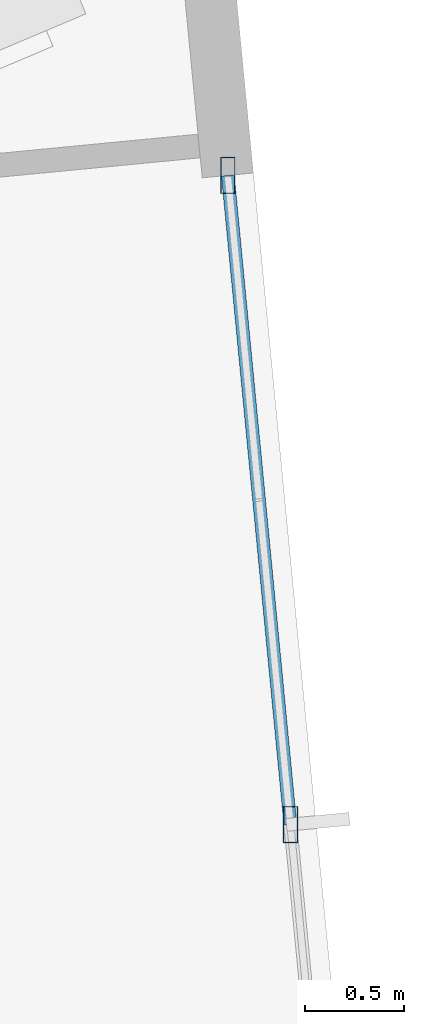
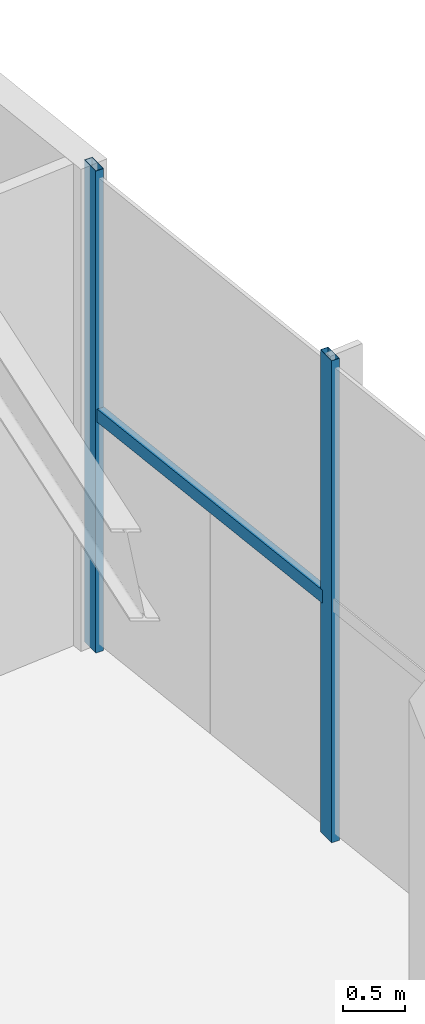
# One storey, part 14 of 28: 3 members, 1 element without a shape of its own.
"""IFC4 building model written with IfcOpenShell, lengths in metres."""

import ifcopenshell
import ifcopenshell.guid

model = None  # the IFC model being written
_history = None  # IfcOwnerHistory: only IFC2X3 demands one
_inside = {}  # id of a spatial element -> (the spatial element, [elements in it])
_under = {}  # id of a project, library or spatial element -> (it, [spatial elements below it])
_declared = {}  # id of a project -> (the project, [libraries it declares])
_typed = {}  # id of a type object -> (the type object, [elements of that type])
_made_of = {}  # id of a material, layer set ... -> (it, [elements and type objects made of it])


def new_model(schema):
    """Start an empty IFC model of exactly this schema.

    Asked for "IFC4X3", IfcOpenShell would pick the latest addendum, in which some entities
    have other attributes; the version numbers below select the first issue.
    IFC2X3 requires an IfcOwnerHistory on every rooted entity: one is made here for all.
    """
    global model, _history
    if schema == "IFC4X3":
        model = ifcopenshell.file(schema_version=(4, 3, 0, 0))
    else:
        model = ifcopenshell.file(schema=schema)
    _inside.clear()
    _under.clear()
    _declared.clear()
    _typed.clear()
    _made_of.clear()
    _history = None
    if model.schema == "IFC2X3":
        org = make("IfcOrganization", Name="unknown")
        user = make(
            "IfcPersonAndOrganization",
            ThePerson=make("IfcPerson", FamilyName="unknown"),
            TheOrganization=org,
        )
        app = make(
            "IfcApplication",
            ApplicationDeveloper=org,
            Version="unknown",
            ApplicationFullName="unknown",
            ApplicationIdentifier="unknown",
        )
        _history = make(
            "IfcOwnerHistory",
            OwningUser=user,
            OwningApplication=app,
            ChangeAction="ADDED",
            CreationDate=0,
        )
    return model


def make(cls, **values):
    """One entity of the class cls with the attributes given. An attribute that is None is left unset."""
    return model.create_entity(
        cls, **{name: value for name, value in values.items() if value is not None}
    )


def rooted(cls, **values):
    """An entity with a GlobalId (a new one), such as an element, a storey or a relation."""
    return make(cls, GlobalId=ifcopenshell.guid.new(), OwnerHistory=_history, **values)


def si_unit(unit_type, name, prefix=None):
    """IfcSIUnit, for example si_unit("LENGTHUNIT", "METRE", prefix="MILLI")."""
    return make("IfcSIUnit", UnitType=unit_type, Prefix=prefix, Name=name)


def assignment(units):
    """IfcUnitAssignment: the units of a project."""
    return None if units is None else make("IfcUnitAssignment", Units=units)


def point(xyz):
    """IfcCartesianPoint."""
    return None if xyz is None else make("IfcCartesianPoint", Coordinates=xyz)


def direction(xyz):
    """IfcDirection."""
    return None if xyz is None else make("IfcDirection", DirectionRatios=xyz)


def frame(location, z_axis=None, x_axis=None):
    """IfcAxis2Placement3D, a coordinate frame: its origin and axes. An axis left out is left unset."""
    return make(
        "IfcAxis2Placement3D",
        Location=point(location),
        Axis=direction(z_axis),
        RefDirection=direction(x_axis),
    )


def frame_2d(location, x_axis=None):
    """IfcAxis2Placement2D, a coordinate frame in the plane: its origin and x axis."""
    return make(
        "IfcAxis2Placement2D", Location=point(location), RefDirection=direction(x_axis)
    )


def origin():
    """The frame at (0, 0, 0) with its axes left unset."""
    return frame((0.0, 0.0, 0.0))


def origin_2d():
    """The frame at (0, 0) in the plane with its x axis left unset."""
    return frame_2d((0.0, 0.0))


def place(relative_to, where):
    """IfcLocalPlacement: puts the frame where relative to a parent placement (None: the world)."""
    return make(
        "IfcLocalPlacement", PlacementRelTo=relative_to, RelativePlacement=where
    )


def context(
    kind, dimensions, precision=None, world=None, true_north=None, identifier=None
):
    """IfcGeometricRepresentationContext, for example the 3D "Model" context."""
    return make(
        "IfcGeometricRepresentationContext",
        ContextIdentifier=identifier,
        ContextType=kind,
        CoordinateSpaceDimension=dimensions,
        Precision=precision,
        WorldCoordinateSystem=world,
        TrueNorth=true_north,
    )


def subcontext(parent, identifier, kind, view, scale=None):
    """IfcGeometricRepresentationSubContext, for example "Body" below "Model"."""
    return make(
        "IfcGeometricRepresentationSubContext",
        ContextIdentifier=identifier,
        ContextType=kind,
        ParentContext=parent,
        TargetScale=scale,
        TargetView=view,
    )


def project(units=None, contexts=None):
    """IfcProject with its units and contexts."""
    return rooted(
        "IfcProject",
        Name="project",
        RepresentationContexts=contexts,
        UnitsInContext=assignment(units),
    )


def spatial(cls, under=None, at=None, **own):
    """A site, building, storey or space (cls), placed at a placement, below another one or the project."""
    s = rooted(cls, ObjectPlacement=at, **own)
    if under is not None:
        _under.setdefault(under.id(), (under, []))[1].append(s)
    return s


def profile(cls, at=None, kind="AREA", **sizes):
    """A parametric profile (cls). Its sizes go by their IFC names, for example OverallWidth=200.0."""
    return make(cls, ProfileType=kind, Position=at, **sizes)


def hollow_rectangle(**sizes):
    """IfcRectangleHollowProfileDef."""
    return profile("IfcRectangleHollowProfileDef", **sizes)


def extrude(swept, where, along, depth):
    """IfcExtrudedAreaSolid: the profile swept, set in the frame where, extruded along a direction by depth."""
    return make(
        "IfcExtrudedAreaSolid",
        SweptArea=swept,
        Position=where,
        ExtrudedDirection=direction(along),
        Depth=depth,
    )


def shape(context_of_items, identifier, shape_type, items):
    """IfcShapeRepresentation: the items that make up one representation, for example the "Body"."""
    return make(
        "IfcShapeRepresentation",
        ContextOfItems=context_of_items,
        RepresentationIdentifier=identifier,
        RepresentationType=shape_type,
        Items=items,
    )


def source(mapping_origin, context_of_items, identifier, shape_type, items):
    """IfcRepresentationMap: a shape defined once, which mapped items show again and again."""
    return make(
        "IfcRepresentationMap",
        MappingOrigin=mapping_origin,
        MappedRepresentation=shape(context_of_items, identifier, shape_type, items),
    )


def transform(
    local_origin,
    x_axis=None,
    y_axis=None,
    z_axis=None,
    scale=None,
    scale2=None,
    scale3=None,
    uniform=True,
):
    """IfcCartesianTransformationOperator3D, or its non-uniform kind. x_axis, y_axis, z_axis: its Axis1, 2, 3."""
    if uniform:
        return make(
            "IfcCartesianTransformationOperator3D",
            Axis1=direction(x_axis),
            Axis2=direction(y_axis),
            LocalOrigin=point(local_origin),
            Scale=scale,
            Axis3=direction(z_axis),
        )
    return make(
        "IfcCartesianTransformationOperator3DnonUniform",
        Axis1=direction(x_axis),
        Axis2=direction(y_axis),
        LocalOrigin=point(local_origin),
        Scale=scale,
        Axis3=direction(z_axis),
        Scale2=scale2,
        Scale3=scale3,
    )


def mapped(mapping_source, mapping_target):
    """IfcMappedItem: shows the shape of a source again, moved by a transform."""
    return make(
        "IfcMappedItem", MappingSource=mapping_source, MappingTarget=mapping_target
    )


def material(Name=None, Category=None):
    """IfcMaterial."""
    return make("IfcMaterial", Name=Name, Category=Category)


def material_profile(
    of_material, cross_section, Name=None, Category=None, Priority=None
):
    """IfcMaterialProfile: a cross section and its material."""
    return make(
        "IfcMaterialProfile",
        Name=Name,
        Material=of_material,
        Profile=cross_section,
        Priority=Priority,
        Category=Category,
    )


def profile_set(profiles, Name=None, composite=None):
    """IfcMaterialProfileSet."""
    return make(
        "IfcMaterialProfileSet",
        Name=Name,
        MaterialProfiles=profiles,
        CompositeProfile=composite,
    )


def made_of(thing, what):
    """Note that an element or type object is made of a material, layer set ...; save() writes the relation."""
    if what is not None:
        _made_of.setdefault(what.id(), (what, []))[1].append(thing)
    return thing


def type_object(cls, material=None, **own):
    """A type object (cls), such as IfcWallType, which elements share."""
    return made_of(rooted(cls, **own), material)


def type_shapes(of_type, sources):
    """Give a type object the sources (RepresentationMaps) that its elements show as mapped items."""
    of_type.RepresentationMaps = sources


def element(
    cls,
    number,
    at=None,
    inside=None,
    cuts=None,
    type_object=None,
    material=None,
    context=None,
    identifier="Body",
    shape_type=None,
    held_by="IfcProductDefinitionShape",
    body=None,
    shapes=None,
    **own,
):
    """One element of the class cls, such as IfcWall. Its Tag is "e" and its number.

    at: its placement. inside: the storey or other place that contains it. cuts: it is an
    opening in that element (IfcRelVoidsElement). A single representation is given by context,
    identifier, shape_type and body (its items); several are given by shapes. held_by: the class
    of the entity that holds the representations. save() writes the other relations.
    """
    e = rooted(cls, Tag="e%d" % number, ObjectPlacement=at, **own)
    if body is not None:
        shapes = [shape(context, identifier, shape_type, body)]
    if shapes is not None:
        e.Representation = make(held_by, Representations=shapes)
    if inside is not None:
        _inside.setdefault(inside.id(), (inside, []))[1].append(e)
    if cuts is not None:
        rooted(
            "IfcRelVoidsElement", RelatingBuildingElement=cuts, RelatedOpeningElement=e
        )
    if type_object is not None:
        _typed.setdefault(type_object.id(), (type_object, []))[1].append(e)
    return made_of(e, material)


def aggregate(whole, parts):
    """IfcRelAggregates: a whole, such as a stair, and the parts it consists of."""
    return rooted("IfcRelAggregates", RelatingObject=whole, RelatedObjects=parts)


def save(model, path):
    """Write the relations noted so far, then the file.

    IfcRelAggregates (storeys below a building ...), IfcRelContainedInSpatialStructure (elements
    in a storey), IfcRelDefinesByType, IfcRelAssociatesMaterial and IfcRelDeclares: one each for
    every whole, place, type object, material and project.
    """
    for whole, parts in _under.values():
        aggregate(whole, parts)
    for where, things in _inside.values():
        rooted(
            "IfcRelContainedInSpatialStructure",
            RelatedElements=things,
            RelatingStructure=where,
        )
    for kind, things in _typed.values():
        rooted("IfcRelDefinesByType", RelatedObjects=things, RelatingType=kind)
    for what, things in _made_of.values():
        rooted("IfcRelAssociatesMaterial", RelatedObjects=things, RelatingMaterial=what)
    for by, libraries in _declared.values():
        rooted("IfcRelDeclares", RelatingContext=by, RelatedDefinitions=libraries)
    model.write(path)


model = new_model("IFC4")

# Units and contexts
model_context = context("Model", 3, precision=1e-05, world=origin(), true_north=direction((0.0, 1.0)))
body_context = subcontext(model_context, "Body", "Model", "MODEL_VIEW")
ifc_project = project(units=[si_unit("LENGTHUNIT", "METRE"), si_unit("AREAUNIT", "SQUARE_METRE"), si_unit("VOLUMEUNIT", "CUBIC_METRE"), si_unit("PLANEANGLEUNIT", "RADIAN"), si_unit("MASSUNIT", "GRAM", prefix="KILO")], contexts=[model_context])

# Site, building, storey
site_placement = place(None, origin())
site = spatial("IfcSite", under=ifc_project, at=site_placement, CompositionType="ELEMENT")
building_placement = place(site_placement, origin())
building = spatial("IfcBuilding", under=site, at=building_placement, Name="Astriad Promenade Condominiums", CompositionType="ELEMENT")
storey_placement = place(building_placement, frame((0.0, 0.0, 72.60009765625)))
storey = spatial("IfcBuildingStorey", under=building, at=storey_placement, Name="L20", CompositionType="ELEMENT", Elevation=72.60009765625)

# Curtain wall, members
ifc_material_1 = material(Name="Anodised aluminium Black Dark Glass Unitised", Category="aluminium")
curtain_wall_type = type_object("IfcCurtainWallType", Name="CW-B2-DARK", PredefinedType="USERDEFINED", material=ifc_material_1)
curtain_wall_placement = place(storey_placement, origin())
curtain_wall = element("IfcCurtainWall", 1, at=curtain_wall_placement, inside=storey, type_object=curtain_wall_type, Name="CW-L20-E-2", ObjectType="UNITISED_CURTAIN_WALL", PredefinedType="USERDEFINED")
ifc_material_2 = material(Name="Anodised aluminium 6063-T6 Black", Category="aluminium")
ifc_material_profile_1 = material_profile(ifc_material_2, hollow_rectangle(XDim=0.074951171875, YDim=0.18505859375, WallThickness=0.00439453125, at=origin_2d()), Name="ALU-MUL-75X185")
ifc_profile_set_1 = profile_set([ifc_material_profile_1], Name="Anodised aluminium 6063-T6 Black")
member_type_1 = type_object("IfcMemberType", Name="MUL-ALU-MUL-75X185", PredefinedType="MULLION", material=ifc_profile_set_1)
shared_shape_1 = source(origin(), body_context, "Body", "SweptSolid", [
    extrude(hollow_rectangle(XDim=0.074951171875, YDim=0.18505859375, WallThickness=0.00439453125, at=origin_2d()), origin(), (0.0, 0.0, 1.0), 4.77978515625),
])
type_shapes(member_type_1, [shared_shape_1])
member_1_placement = place(storey_placement, frame((68.819580078125, 18.247802734375, 0.0), z_axis=(0.0, 0.0, 1.0), x_axis=(1.0, 0.0, 0.0)))
member_1 = element("IfcMember", 2, at=member_1_placement, type_object=member_type_1, Name="CW-L20-E-2-MUL-00", PredefinedType="MULLION", context=body_context, shape_type="MappedRepresentation", body=[
    mapped(shared_shape_1, transform((0.0, 0.0, 0.0), scale=1.0)),
])
member_2_placement = place(storey_placement, frame((69.135986328125, 14.963134765625, 0.0), z_axis=(0.0, 0.0, 1.0), x_axis=(1.0, 0.0, 0.0)))
member_2 = element("IfcMember", 3, at=member_2_placement, type_object=member_type_1, Name="CW-L20-E-2-MUL-01", PredefinedType="MULLION", context=body_context, shape_type="MappedRepresentation", body=[
    mapped(shared_shape_1, transform((0.0, 0.0, 0.0), scale=1.0)),
])
ifc_material_profile_2 = material_profile(ifc_material_2, hollow_rectangle(XDim=0.06494140625, YDim=0.1298828125, WallThickness=0.00390625, at=origin_2d()), Name="ALU-TRN-65X130")
ifc_profile_set_2 = profile_set([ifc_material_profile_2], Name="Anodised aluminium 6063-T6 Black")
member_type_2 = type_object("IfcMemberType", Name="TRN-ALU-TRN-65X130", PredefinedType="USERDEFINED", material=ifc_profile_set_2)
shared_shape_2 = source(origin(), body_context, "Body", "SweptSolid", [
    extrude(hollow_rectangle(XDim=0.06494140625, YDim=0.1298828125, WallThickness=0.00390625, at=origin_2d()), origin(), (0.0, 0.0, 1.0), 3.2998046875),
])
type_shapes(member_type_2, [shared_shape_2])
member_3_placement = place(storey_placement, frame((68.819580078125, 18.247802734375, 2.349853515625), z_axis=(0.095884394967, -0.995392476766, 0.0), x_axis=(0.995392476766, 0.095884394967, 0.0)))
member_3 = element("IfcMember", 4, at=member_3_placement, type_object=member_type_2, Name="CW-L20-E-2-TRN-00-0", ObjectType="TRANSOM", PredefinedType="USERDEFINED", context=body_context, shape_type="MappedRepresentation", body=[
    mapped(shared_shape_2, transform((0.0, 0.0, 0.0), scale=1.0)),
])
aggregate(curtain_wall, [member_1, member_2, member_3])

save(model, "model.ifc")
